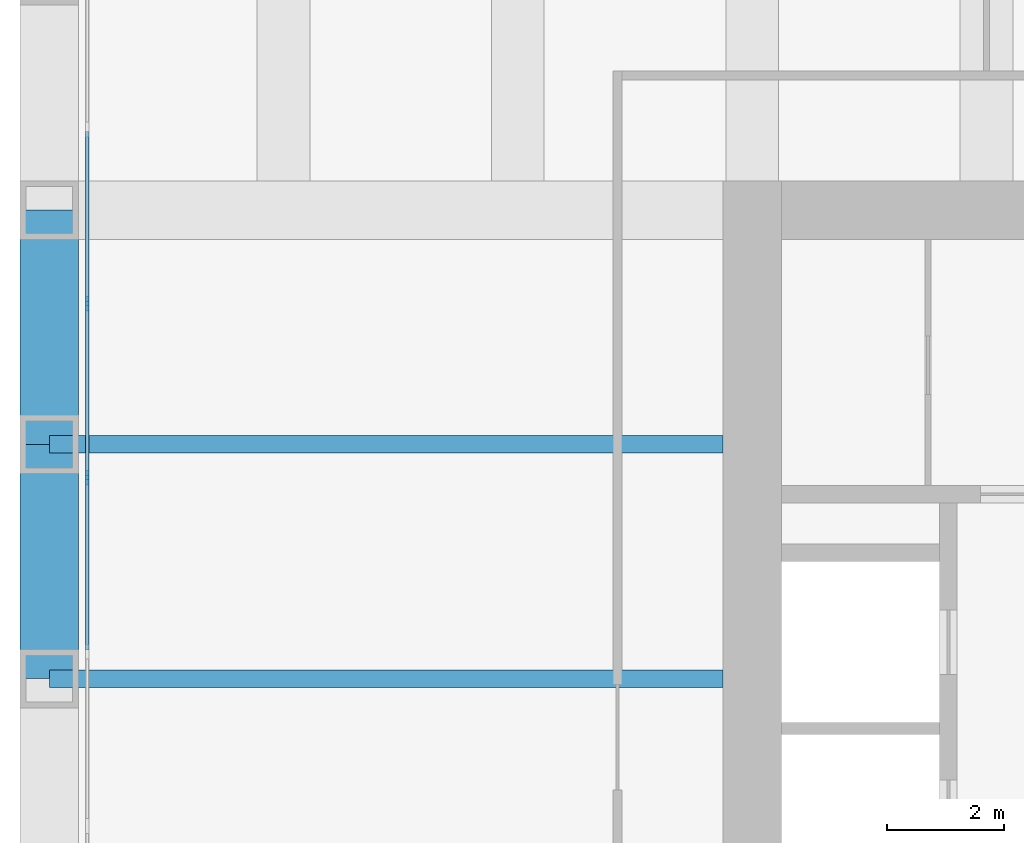
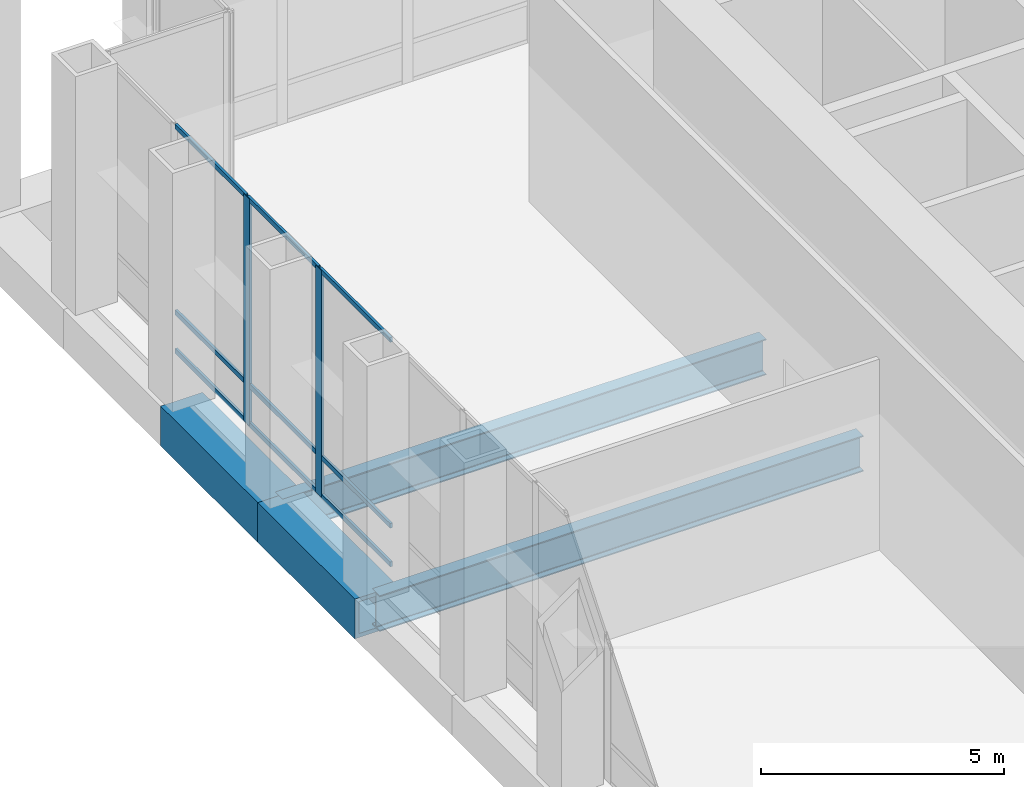
# One storey, part 4 of 12: 11 members, 4 beams, 1 element without a shape of its own.
"""IFC4 building model written with IfcOpenShell, lengths in metres."""

from ifc_helpers import new_model, si_unit, direction, frame, origin, origin_2d, place, context, subcontext, project, spatial, rectangle, hollow_rectangle, i_section, extrude, material, material_profile, profile_set, type_object, element, aggregate, save


model = new_model("IFC4")

# Units and contexts
model_context = context("Model", 3, precision=1e-05, world=origin(), true_north=direction((0.0, 1.0)))
body_context = subcontext(model_context, "Body", "Model", "MODEL_VIEW")
ifc_project = project(units=[si_unit("LENGTHUNIT", "METRE"), si_unit("AREAUNIT", "SQUARE_METRE"), si_unit("VOLUMEUNIT", "CUBIC_METRE"), si_unit("PLANEANGLEUNIT", "RADIAN"), si_unit("MASSUNIT", "GRAM", prefix="KILO")], contexts=[model_context])

# Site, building, storey
site_placement = place(None, origin())
site = spatial("IfcSite", under=ifc_project, at=site_placement, CompositionType="ELEMENT")
building_placement = place(site_placement, origin())
building = spatial("IfcBuilding", under=site, at=building_placement, Name="Rimbunsela Tower", CompositionType="ELEMENT")
storey_placement = place(building_placement, frame((0.0, 0.0, 298.199951171875)))
storey = spatial("IfcBuildingStorey", under=building, at=storey_placement, Name="L72", CompositionType="ELEMENT", Elevation=298.199951171875)

# Beams
ifc_material_1 = material(Name="Steel BJ 55 (fy 410 MPa)", Category="steel")
ifc_material_profile_1 = material_profile(ifc_material_1, hollow_rectangle(XDim=1.0, YDim=1.0, WallThickness=0.10009765625, at=origin_2d()), Name="BOX 1000x1000x100")
ifc_profile_set_1 = profile_set([ifc_material_profile_1], Name="Steel BJ 55 (fy 410 MPa)")
beam_type_1 = type_object("IfcBeamType", Name="Beam BOX 1000x1000x100", PredefinedType="BEAM", material=ifc_profile_set_1)
for number, where, z_axis, x_axis, name in (
    (1, (6.0, 28.0, -0.64990234375), (0.0, 1.0, 0.0), (-1.0, 0.0, 0.0), "Beam B3 L72"),
    (2, (6.0, 32.0, -0.64990234375), (0.0, 1.0, 0.0), (-1.0, 0.0, 0.0), "Beam B3 L72"),
):
    element("IfcBeam", number, at=place(storey_placement, frame(where, z_axis=z_axis, x_axis=x_axis)), inside=storey, type_object=beam_type_1, Name=name, PredefinedType="BEAM", context=body_context, shape_type="SweptSolid", body=[
        extrude(hollow_rectangle(XDim=1.0, YDim=1.0, WallThickness=0.10009765625, at=origin_2d()), origin(), (0.0, 0.0, 1.0), 4.0),
    ])
ifc_material_2 = material(Name="Steel BJ 55 (fy 410 MPa)", Category="steel")
ifc_material_profile_2 = material_profile(ifc_material_2, i_section(OverallWidth=0.300048828125, OverallDepth=0.89990234375, WebThickness=0.01611328125, FlangeThickness=0.028076171875, FilletRadius=0.028076171875, at=origin_2d()), Name="H 900x300x16x28")
ifc_profile_set_2 = profile_set([ifc_material_profile_2], Name="Steel BJ 55 (fy 410 MPa)")
beam_type_2 = type_object("IfcBeamType", Name="Beam H 900x300x16x28", PredefinedType="BEAM", material=ifc_profile_set_2)
for number, where, z_axis, x_axis, name in (
    (3, (6.0, 28.0, -0.599853515625), (1.0, 0.0, 0.0), (0.0, 1.0, 0.0), "Beam B2 L72"),
    (4, (6.0, 32.0, -0.599853515625), (1.0, 0.0, 0.0), (0.0, 1.0, 0.0), "Beam B2 L72"),
):
    element("IfcBeam", number, at=place(storey_placement, frame(where, z_axis=z_axis, x_axis=x_axis)), inside=storey, type_object=beam_type_2, Name=name, PredefinedType="BEAM", context=body_context, shape_type="SweptSolid", body=[
        extrude(i_section(OverallWidth=0.300048828125, OverallDepth=0.89990234375, WebThickness=0.01611328125, FlangeThickness=0.028076171875, FilletRadius=0.028076171875, at=origin_2d()), origin(), (0.0, 0.0, 1.0), 11.5),
    ])

# Curtain wall, members
ifc_material_3 = material(Name="Aluminium curtain wall", Category="aluminium")
curtain_wall_type = type_object("IfcCurtainWallType", Name="Crown glazing", PredefinedType="USERDEFINED", material=ifc_material_3)
curtain_wall_placement = place(storey_placement, origin())
curtain_wall = element("IfcCurtainWall", 5, at=curtain_wall_placement, inside=storey, type_object=curtain_wall_type, Name="Crown glazing L72", ObjectType="CROWN GLAZING", PredefinedType="USERDEFINED")
ifc_material_4 = material(Name="Aluminium mullion", Category="aluminium")
ifc_material_profile_3 = material_profile(ifc_material_4, rectangle(XDim=0.06005859375, YDim=0.25, at=origin_2d()), Name="Mullion 60x250")
ifc_profile_set_3 = profile_set([ifc_material_profile_3], Name="Aluminium mullion")
member_type_1 = type_object("IfcMemberType", Name="Curtain wall mullion 60x250", PredefinedType="MULLION", material=ifc_profile_set_3)
member_1_placement = place(storey_placement, frame((6.64990234375, 34.404541015625, 0.0), z_axis=(0.0, 0.0, 1.0), x_axis=(1.0, 0.0, 0.0)))
member_1 = element("IfcMember", 6, at=member_1_placement, type_object=member_type_1, Name="CW6 mullion 3", PredefinedType="MULLION", context=body_context, shape_type="SweptSolid", body=[
    extrude(rectangle(XDim=0.06005859375, YDim=0.25, at=origin_2d()), origin(), (0.0, 0.0, 1.0), 5.699951171875),
])
member_2_placement = place(storey_placement, frame((6.64990234375, 31.431884765625, 0.0), z_axis=(0.0, 0.0, 1.0), x_axis=(1.0, 0.0, 0.0)))
member_2 = element("IfcMember", 7, at=member_2_placement, type_object=member_type_1, Name="CW6 mullion 4", PredefinedType="MULLION", context=body_context, shape_type="SweptSolid", body=[
    extrude(rectangle(XDim=0.06005859375, YDim=0.25, at=origin_2d()), origin(), (0.0, 0.0, 1.0), 5.699951171875),
])
ifc_material_5 = material(Name="Aluminium transom", Category="aluminium")
ifc_material_profile_4 = material_profile(ifc_material_5, rectangle(XDim=0.06005859375, YDim=0.1201171875, at=origin_2d()), Name="Transom 60x120")
ifc_profile_set_4 = profile_set([ifc_material_profile_4], Name="Aluminium transom")
member_type_2 = type_object("IfcMemberType", Name="Curtain wall transom 60x120", PredefinedType="USERDEFINED", material=ifc_profile_set_4)
member_3_placement = place(storey_placement, frame((6.64990234375, 37.34716796875, 0.030029296875), z_axis=(0.0, -1.0, 0.0), x_axis=(1.0, 0.0, 0.0)))
member_3 = element("IfcMember", 8, at=member_3_placement, type_object=member_type_2, Name="CW6 transom 2.1", ObjectType="TRANSOM", PredefinedType="USERDEFINED", context=body_context, shape_type="SweptSolid", body=[
    extrude(rectangle(XDim=0.06005859375, YDim=0.1201171875, at=origin_2d()), origin(), (0.0, 0.0, 1.0), 2.91259765625),
])
member_4_placement = place(storey_placement, frame((6.64990234375, 37.34716796875, 1.0), z_axis=(0.0, -1.0, 0.0), x_axis=(1.0, 0.0, 0.0)))
member_4 = element("IfcMember", 9, at=member_4_placement, type_object=member_type_2, Name="CW6 transom 2.2", ObjectType="TRANSOM", PredefinedType="USERDEFINED", context=body_context, shape_type="SweptSolid", body=[
    extrude(rectangle(XDim=0.06005859375, YDim=0.1201171875, at=origin_2d()), origin(), (0.0, 0.0, 1.0), 2.91259765625),
])
member_5_placement = place(storey_placement, frame((6.64990234375, 37.34716796875, 5.670166015625), z_axis=(0.0, -1.0, 0.0), x_axis=(1.0, 0.0, 0.0)))
member_5 = element("IfcMember", 10, at=member_5_placement, type_object=member_type_2, Name="CW6 transom 2.3", ObjectType="TRANSOM", PredefinedType="USERDEFINED", context=body_context, shape_type="SweptSolid", body=[
    extrude(rectangle(XDim=0.06005859375, YDim=0.1201171875, at=origin_2d()), origin(), (0.0, 0.0, 1.0), 2.91259765625),
])
member_6_placement = place(storey_placement, frame((6.64990234375, 34.37451171875, 0.030029296875), z_axis=(0.0, -1.0, 0.0), x_axis=(1.0, 0.0, 0.0)))
member_6 = element("IfcMember", 11, at=member_6_placement, type_object=member_type_2, Name="CW6 transom 3.1", ObjectType="TRANSOM", PredefinedType="USERDEFINED", context=body_context, shape_type="SweptSolid", body=[
    extrude(rectangle(XDim=0.06005859375, YDim=0.1201171875, at=origin_2d()), origin(), (0.0, 0.0, 1.0), 2.91259765625),
])
member_7_placement = place(storey_placement, frame((6.64990234375, 34.37451171875, 1.0), z_axis=(0.0, -1.0, 0.0), x_axis=(1.0, 0.0, 0.0)))
member_7 = element("IfcMember", 12, at=member_7_placement, type_object=member_type_2, Name="CW6 transom 3.2", ObjectType="TRANSOM", PredefinedType="USERDEFINED", context=body_context, shape_type="SweptSolid", body=[
    extrude(rectangle(XDim=0.06005859375, YDim=0.1201171875, at=origin_2d()), origin(), (0.0, 0.0, 1.0), 2.91259765625),
])
member_8_placement = place(storey_placement, frame((6.64990234375, 34.37451171875, 5.670166015625), z_axis=(0.0, -1.0, 0.0), x_axis=(1.0, 0.0, 0.0)))
member_8 = element("IfcMember", 13, at=member_8_placement, type_object=member_type_2, Name="CW6 transom 3.3", ObjectType="TRANSOM", PredefinedType="USERDEFINED", context=body_context, shape_type="SweptSolid", body=[
    extrude(rectangle(XDim=0.06005859375, YDim=0.1201171875, at=origin_2d()), origin(), (0.0, 0.0, 1.0), 2.91259765625),
])
member_9_placement = place(storey_placement, frame((6.64990234375, 31.40185546875, 0.030029296875), z_axis=(0.0, -1.0, 0.0), x_axis=(1.0, 0.0, 0.0)))
member_9 = element("IfcMember", 14, at=member_9_placement, type_object=member_type_2, Name="CW6 transom 4.1", ObjectType="TRANSOM", PredefinedType="USERDEFINED", context=body_context, shape_type="SweptSolid", body=[
    extrude(rectangle(XDim=0.06005859375, YDim=0.1201171875, at=origin_2d()), origin(), (0.0, 0.0, 1.0), 2.912841796875),
])
member_10_placement = place(storey_placement, frame((6.64990234375, 31.40185546875, 1.0), z_axis=(0.0, -1.0, 0.0), x_axis=(1.0, 0.0, 0.0)))
member_10 = element("IfcMember", 15, at=member_10_placement, type_object=member_type_2, Name="CW6 transom 4.2", ObjectType="TRANSOM", PredefinedType="USERDEFINED", context=body_context, shape_type="SweptSolid", body=[
    extrude(rectangle(XDim=0.06005859375, YDim=0.1201171875, at=origin_2d()), origin(), (0.0, 0.0, 1.0), 2.912841796875),
])
member_11_placement = place(storey_placement, frame((6.64990234375, 31.40185546875, 5.670166015625), z_axis=(0.0, -1.0, 0.0), x_axis=(1.0, 0.0, 0.0)))
member_11 = element("IfcMember", 16, at=member_11_placement, type_object=member_type_2, Name="CW6 transom 4.3", ObjectType="TRANSOM", PredefinedType="USERDEFINED", context=body_context, shape_type="SweptSolid", body=[
    extrude(rectangle(XDim=0.06005859375, YDim=0.1201171875, at=origin_2d()), origin(), (0.0, 0.0, 1.0), 2.912841796875),
])
aggregate(curtain_wall, [member_1, member_2, member_3, member_4, member_5, member_6, member_7, member_8, member_9, member_10, member_11])

save(model, "model.ifc")
